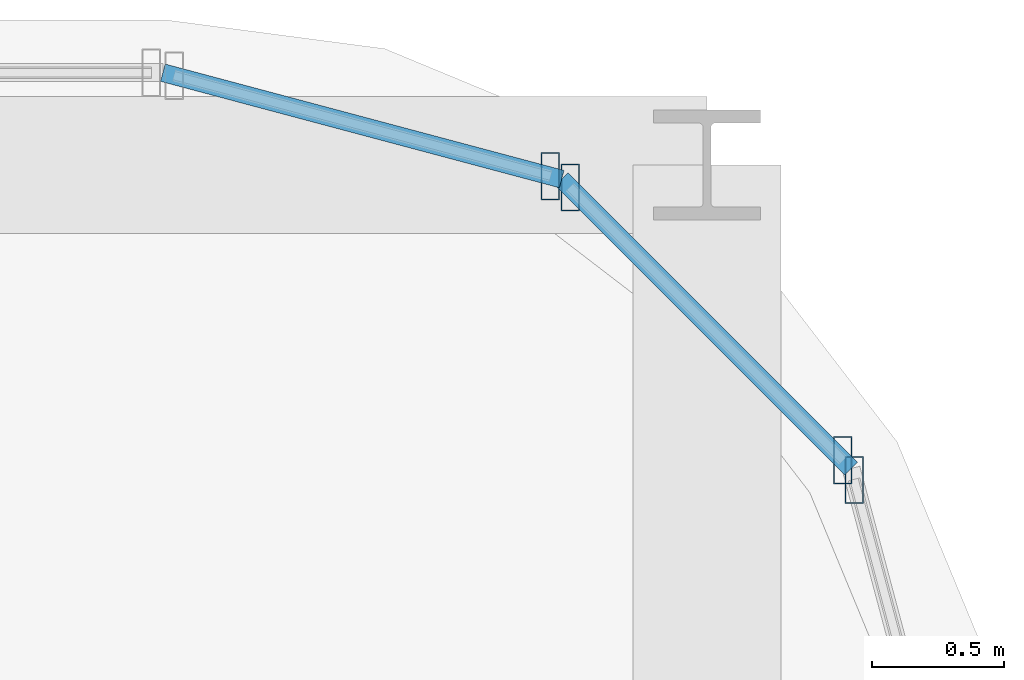
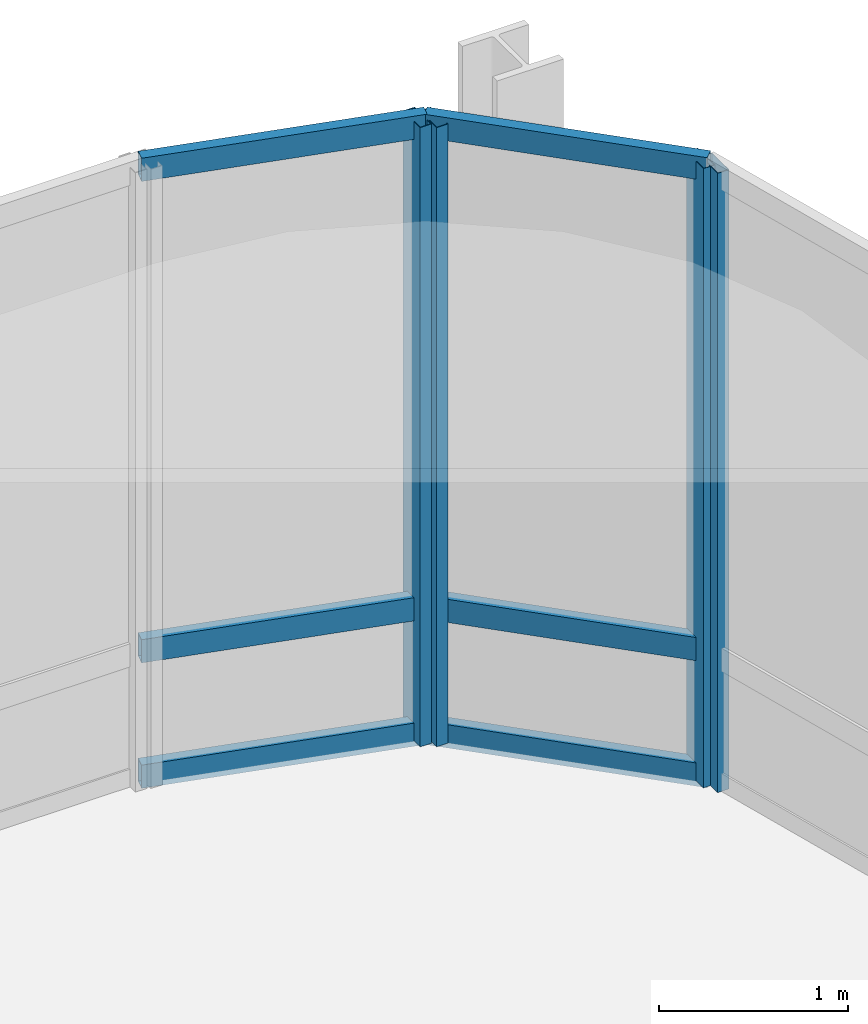
# One storey, part 31 of 41: 10 members, 3 elements without a shape of their own.
"""IFC4 building model written with IfcOpenShell, lengths in metres."""

from ifc_helpers import new_model, si_unit, direction, frame, origin, origin_2d, place, context, subcontext, project, spatial, hollow_rectangle, extrude, material, material_profile, profile_set, type_object, element, aggregate, save


model = new_model("IFC4")

# Units and contexts
model_context = context("Model", 3, precision=1e-05, world=origin(), true_north=direction((0.0, 1.0)))
body_context = subcontext(model_context, "Body", "Model", "MODEL_VIEW")
ifc_project = project(units=[si_unit("LENGTHUNIT", "METRE"), si_unit("AREAUNIT", "SQUARE_METRE"), si_unit("VOLUMEUNIT", "CUBIC_METRE"), si_unit("PLANEANGLEUNIT", "RADIAN"), si_unit("MASSUNIT", "GRAM", prefix="KILO")], contexts=[model_context])

# Site, building, storey
site_placement = place(None, origin())
site = spatial("IfcSite", under=ifc_project, at=site_placement, CompositionType="ELEMENT")
building_placement = place(site_placement, origin())
building = spatial("IfcBuilding", under=site, at=building_placement, Name="Punatoya Terracotta Tower", CompositionType="ELEMENT")
storey_placement = place(building_placement, frame((0.0, 0.0, 292.199951171875)))
storey = spatial("IfcBuildingStorey", under=building, at=storey_placement, Name="L69", CompositionType="ELEMENT", Elevation=292.199951171875)

# Curtain wall, member
ifc_material_1 = material(Name="Aluminium 6063-T6 + Double Low-E Glass", Category="aluminium")
curtain_wall_type = type_object("IfcCurtainWallType", Name="CW-M3", PredefinedType="NOTDEFINED", material=ifc_material_1)
curtain_wall_1_placement = place(storey_placement, origin())
curtain_wall_1 = element("IfcCurtainWall", 1, at=curtain_wall_1_placement, inside=storey, type_object=curtain_wall_type, Name="L69 Curtain Wall CW-L69-CRN06", PredefinedType="NOTDEFINED")
ifc_material_2 = material(Name="Aluminium 6063-T6", Category="aluminium")
ifc_material_profile_1 = material_profile(ifc_material_2, hollow_rectangle(XDim=0.070068359375, YDim=0.179931640625, WallThickness=0.00390625, at=origin_2d()))
ifc_profile_set_1 = profile_set([ifc_material_profile_1], Name="Aluminium 6063-T6")
member_type_1 = type_object("IfcMemberType", Name="CW-MUL-M3", PredefinedType="MULLION", material=ifc_profile_set_1)
member_1_placement = place(storey_placement, frame((19.658203125, 21.70556640625, 0.0), z_axis=(0.0, 0.0, 1.0), x_axis=(1.0, 0.0, 0.0)))
member_1 = element("IfcMember", 2, at=member_1_placement, type_object=member_type_1, Name="CW-L69-CRN06 Mullion 01", PredefinedType="MULLION", context=body_context, shape_type="SweptSolid", body=[
    extrude(hollow_rectangle(XDim=0.070068359375, YDim=0.179931640625, WallThickness=0.00390625, at=origin_2d()), origin(), (0.0, 0.0, 1.0), 4.0),
])
aggregate(curtain_wall_1, [member_1])

# Curtain wall, members
curtain_wall_2_placement = place(storey_placement, origin())
curtain_wall_2 = element("IfcCurtainWall", 3, at=curtain_wall_2_placement, inside=storey, type_object=curtain_wall_type, Name="L69 Curtain Wall CW-L69-CRN07", PredefinedType="NOTDEFINED")
member_2_placement = place(storey_placement, frame((19.61474609375, 21.781005859375, 0.0), z_axis=(0.0, 0.0, 1.0), x_axis=(1.0, 0.0, 0.0)))
member_2 = element("IfcMember", 4, at=member_2_placement, type_object=member_type_1, Name="CW-L69-CRN07 Mullion 00", PredefinedType="MULLION", context=body_context, shape_type="SweptSolid", body=[
    extrude(hollow_rectangle(XDim=0.070068359375, YDim=0.179931640625, WallThickness=0.00390625, at=origin_2d()), origin(), (0.0, 0.0, 1.0), 4.0),
])
member_3_placement = place(storey_placement, frame((18.580810546875, 22.814697265625, 0.0), z_axis=(0.0, 0.0, 1.0), x_axis=(1.0, 0.0, 0.0)))
member_3 = element("IfcMember", 5, at=member_3_placement, type_object=member_type_1, Name="CW-L69-CRN07 Mullion 01", PredefinedType="MULLION", context=body_context, shape_type="SweptSolid", body=[
    extrude(hollow_rectangle(XDim=0.070068359375, YDim=0.179931640625, WallThickness=0.00390625, at=origin_2d()), origin(), (0.0, 0.0, 1.0), 4.0),
])

# Curtain wall, member
curtain_wall_3_placement = place(storey_placement, origin())
curtain_wall_3 = element("IfcCurtainWall", 6, at=curtain_wall_3_placement, inside=storey, type_object=curtain_wall_type, Name="L69 Curtain Wall CW-L69-CRN08", PredefinedType="NOTDEFINED")
member_4_placement = place(storey_placement, frame((18.505615234375, 22.858154296875, 0.0), z_axis=(0.0, 0.0, 1.0), x_axis=(1.0, 0.0, 0.0)))
member_4 = element("IfcMember", 7, at=member_4_placement, type_object=member_type_1, Name="CW-L69-CRN08 Mullion 00", PredefinedType="MULLION", context=body_context, shape_type="SweptSolid", body=[
    extrude(hollow_rectangle(XDim=0.070068359375, YDim=0.179931640625, WallThickness=0.00390625, at=origin_2d()), origin(), (0.0, 0.0, 1.0), 4.0),
])

# Member
ifc_material_profile_2 = material_profile(ifc_material_2, hollow_rectangle(XDim=0.068115234375, YDim=0.14990234375, WallThickness=0.00390625, at=origin_2d()))
ifc_profile_set_2 = profile_set([ifc_material_profile_2], Name="Aluminium 6063-T6")
member_type_2 = type_object("IfcMemberType", Name="CW-TRN-TYP", PredefinedType="USERDEFINED", material=ifc_profile_set_2)
member_5_placement = place(storey_placement, frame((19.646484375, 21.7490234375, 0.0400390625), z_axis=(-0.707028130747, 0.707185422879, 0.0), x_axis=(-0.707185422879, -0.707028130747, 0.0)))
member_5 = element("IfcMember", 8, at=member_5_placement, type_object=member_type_2, Name="CW-L69-CRN07 Transom 1", ObjectType="TRANSOM", PredefinedType="USERDEFINED", context=body_context, shape_type="SweptSolid", body=[
    extrude(hollow_rectangle(XDim=0.068115234375, YDim=0.14990234375, WallThickness=0.00390625, at=origin_2d()), origin(), (0.0, 0.0, 1.0), 1.55224609375),
])

member_6_placement = place(storey_placement, frame((19.646484375, 21.7490234375, 0.85009765625), z_axis=(-0.707028130747, 0.707185422879, 0.0), x_axis=(-0.707185422879, -0.707028130747, 0.0)))
member_6 = element("IfcMember", 9, at=member_6_placement, type_object=member_type_2, Name="CW-L69-CRN07 Transom 2", ObjectType="TRANSOM", PredefinedType="USERDEFINED", context=body_context, shape_type="SweptSolid", body=[
    extrude(hollow_rectangle(XDim=0.068115234375, YDim=0.14990234375, WallThickness=0.00390625, at=origin_2d()), origin(), (0.0, 0.0, 1.0), 1.55224609375),
])

member_7_placement = place(storey_placement, frame((19.646484375, 21.7490234375, 3.9599609375), z_axis=(-0.707028130747, 0.707185422879, 0.0), x_axis=(-0.707185422879, -0.707028130747, 0.0)))
member_7 = element("IfcMember", 10, at=member_7_placement, type_object=member_type_2, Name="CW-L69-CRN07 Transom 3", ObjectType="TRANSOM", PredefinedType="USERDEFINED", context=body_context, shape_type="SweptSolid", body=[
    extrude(hollow_rectangle(XDim=0.068115234375, YDim=0.14990234375, WallThickness=0.00390625, at=origin_2d()), origin(), (0.0, 0.0, 1.0), 1.55224609375),
])

aggregate(curtain_wall_2, [member_2, member_3, member_5, member_6, member_7])

member_8_placement = place(storey_placement, frame((18.549072265625, 22.8466796875, 0.0400390625), z_axis=(-0.966224582397, 0.257701486942, 0.0), x_axis=(-0.257701486942, -0.966224582397, 0.0)))
member_8 = element("IfcMember", 11, at=member_8_placement, type_object=member_type_2, Name="CW-L69-CRN08 Transom 1", ObjectType="TRANSOM", PredefinedType="USERDEFINED", context=body_context, shape_type="SweptSolid", body=[
    extrude(hollow_rectangle(XDim=0.068115234375, YDim=0.14990234375, WallThickness=0.00390625, at=origin_2d()), origin(), (0.0, 0.0, 1.0), 1.565185546875),
])

member_9_placement = place(storey_placement, frame((18.549072265625, 22.8466796875, 0.85009765625), z_axis=(-0.966224582397, 0.257701486942, 0.0), x_axis=(-0.257701486942, -0.966224582397, 0.0)))
member_9 = element("IfcMember", 12, at=member_9_placement, type_object=member_type_2, Name="CW-L69-CRN08 Transom 2", ObjectType="TRANSOM", PredefinedType="USERDEFINED", context=body_context, shape_type="SweptSolid", body=[
    extrude(hollow_rectangle(XDim=0.068115234375, YDim=0.14990234375, WallThickness=0.00390625, at=origin_2d()), origin(), (0.0, 0.0, 1.0), 1.565185546875),
])

member_10_placement = place(storey_placement, frame((18.549072265625, 22.8466796875, 3.9599609375), z_axis=(-0.966224582397, 0.257701486942, 0.0), x_axis=(-0.257701486942, -0.966224582397, 0.0)))
member_10 = element("IfcMember", 13, at=member_10_placement, type_object=member_type_2, Name="CW-L69-CRN08 Transom 3", ObjectType="TRANSOM", PredefinedType="USERDEFINED", context=body_context, shape_type="SweptSolid", body=[
    extrude(hollow_rectangle(XDim=0.068115234375, YDim=0.14990234375, WallThickness=0.00390625, at=origin_2d()), origin(), (0.0, 0.0, 1.0), 1.565185546875),
])

aggregate(curtain_wall_3, [member_4, member_8, member_9, member_10])

save(model, "model.ifc")
